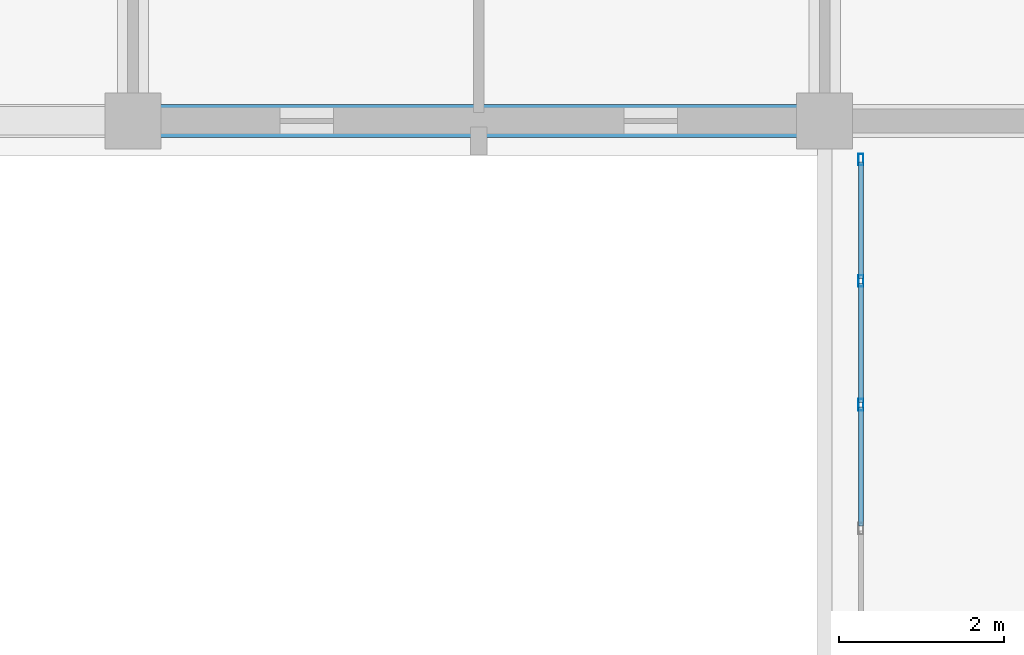
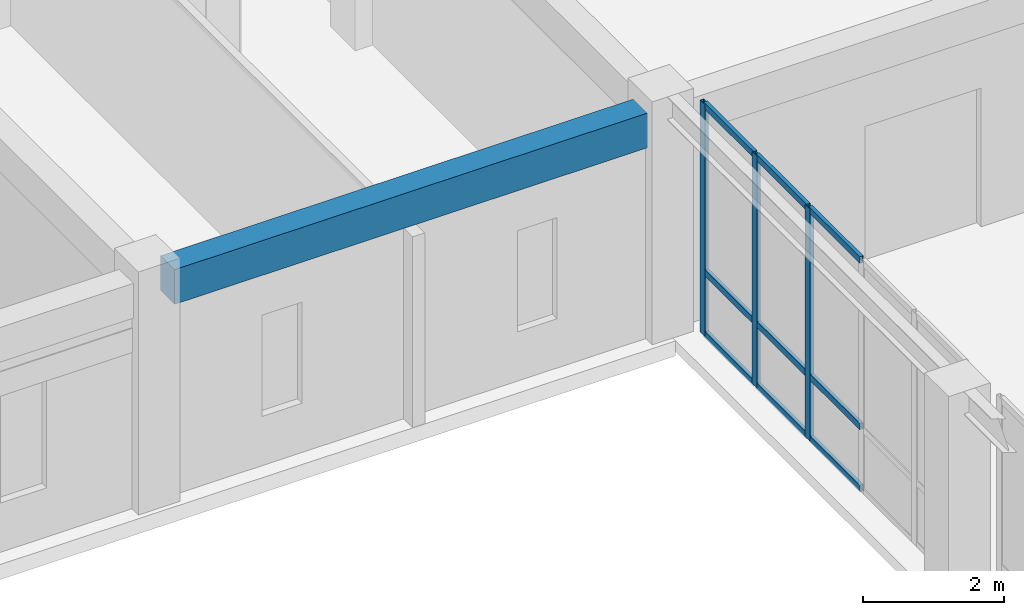
# One storey, part 65 of 140: 12 members, 1 beam, 1 element without a shape of its own.
"""IFC4 building model written with IfcOpenShell, lengths in metres."""

from ifc_helpers import new_model, si_unit, direction, frame, origin, origin_2d, place, context, subcontext, project, spatial, rectangle, hollow_rectangle, extrude, material, layer, layer_set, material_profile, profile_set, type_object, element, aggregate, save


model = new_model("IFC4")

# Units and contexts
model_context = context("Model", 3, precision=1e-05, world=origin(), true_north=direction((0.0, 1.0)))
body_context = subcontext(model_context, "Body", "Model", "MODEL_VIEW")
ifc_project = project(units=[si_unit("LENGTHUNIT", "METRE"), si_unit("AREAUNIT", "SQUARE_METRE"), si_unit("VOLUMEUNIT", "CUBIC_METRE"), si_unit("PLANEANGLEUNIT", "RADIAN"), si_unit("MASSUNIT", "GRAM", prefix="KILO")], contexts=[model_context])

# Site, building, storey
site_placement = place(None, origin())
site = spatial("IfcSite", under=ifc_project, at=site_placement, CompositionType="ELEMENT")
building_placement = place(site_placement, origin())
building = spatial("IfcBuilding", under=site, at=building_placement, Name="Trelvath General Hospital", CompositionType="ELEMENT")
storey_placement = place(building_placement, frame((0.0, 0.0, 16.199951171875)))
storey = spatial("IfcBuildingStorey", under=building, at=storey_placement, Name="L04", CompositionType="ELEMENT", Elevation=16.199951171875)

# Beam
ifc_material_1 = material(Name="Concrete C35/45", Category="concrete")
ifc_material_profile_1 = material_profile(ifc_material_1, rectangle(XDim=0.39990234375, YDim=0.60009765625, at=origin_2d()), Name="RCB400x600")
ifc_profile_set_1 = profile_set([ifc_material_profile_1], Name="Concrete C35/45")
beam_type = type_object("IfcBeamType", Name="Beam RC400x600", PredefinedType="BEAM", material=ifc_profile_set_1)
beam_placement = place(storey_placement, frame((67.534912109375, 92.39990234375, 3.6201171875), z_axis=(1.0, 0.0, 0.0), x_axis=(0.0, 1.0, 0.0)))
element("IfcBeam", 1, at=beam_placement, inside=storey, type_object=beam_type, Name="Grid Beam BX-408L", PredefinedType="BEAM", context=body_context, shape_type="SweptSolid", body=[
    extrude(rectangle(XDim=0.39990234375, YDim=0.60009765625, at=origin_2d()), origin(), (0.0, 0.0, 1.0), 7.72998046875),
])

# Curtain wall, members
ifc_material_2 = material(Name="Anodised aluminium and low-E glass", Category="aluminium")
ifc_layer = layer(ifc_material_2, 0.139892578125)
ifc_layer_set = layer_set([ifc_layer], Name="Anodised aluminium and low-E glass")
curtain_wall_type = type_object("IfcCurtainWallType", Name="CW Bridge 752 401", PredefinedType="USERDEFINED", material=ifc_layer_set)
curtain_wall_placement = place(storey_placement, origin())
curtain_wall = element("IfcCurtainWall", 2, at=curtain_wall_placement, inside=storey, type_object=curtain_wall_type, Name="Glazed Bridge Curtain Wall BRG-N-C W L04", ObjectType="Unitised Glazed Curtain Wall", PredefinedType="USERDEFINED")
ifc_material_3 = material(Name="Anodised aluminium", Category="aluminium")
ifc_material_profile_2 = material_profile(ifc_material_3, hollow_rectangle(XDim=0.06005859375, YDim=0.139892578125, WallThickness=0.00390625, at=origin_2d()), Name="RHS60x140x4")
ifc_profile_set_2 = profile_set([ifc_material_profile_2], Name="Anodised aluminium")
member_type_1 = type_object("IfcMemberType", Name="CurtainMullion 60x140", PredefinedType="MULLION", material=ifc_profile_set_2)
member_1_placement = place(storey_placement, frame((76.0400390625, 88.951904296875, 0.0), z_axis=(0.0, 0.0, 1.0), x_axis=(-1.0, 0.0, 0.0)))
member_1 = element("IfcMember", 3, at=member_1_placement, type_object=member_type_1, Name="CW-300 mullion 4", PredefinedType="MULLION", context=body_context, shape_type="SweptSolid", body=[
    extrude(hollow_rectangle(XDim=0.06005859375, YDim=0.139892578125, WallThickness=0.00390625, at=origin_2d()), origin(), (0.0, 0.0, 1.0), 4.010009765625),
])
member_2_placement = place(storey_placement, frame((76.0400390625, 90.4560546875, 0.0), z_axis=(0.0, 0.0, 1.0), x_axis=(-1.0, 0.0, 0.0)))
member_2 = element("IfcMember", 4, at=member_2_placement, type_object=member_type_1, Name="CW-300 mullion 5", PredefinedType="MULLION", context=body_context, shape_type="SweptSolid", body=[
    extrude(hollow_rectangle(XDim=0.06005859375, YDim=0.139892578125, WallThickness=0.00390625, at=origin_2d()), origin(), (0.0, 0.0, 1.0), 4.010009765625),
])
member_3_placement = place(storey_placement, frame((76.0400390625, 91.929931640625, 0.0), z_axis=(0.0, 0.0, 1.0), x_axis=(-1.0, 0.0, 0.0)))
member_3 = element("IfcMember", 5, at=member_3_placement, type_object=member_type_1, Name="CW-300 mullion 6", PredefinedType="MULLION", context=body_context, shape_type="SweptSolid", body=[
    extrude(hollow_rectangle(XDim=0.06005859375, YDim=0.139892578125, WallThickness=0.00390625, at=origin_2d()), origin(), (0.0, 0.0, 1.0), 4.010009765625),
])
ifc_material_4 = material(Name="Anodised aluminium", Category="aluminium")
ifc_material_profile_3 = material_profile(ifc_material_4, hollow_rectangle(XDim=0.06005859375, YDim=0.110107421875, WallThickness=0.00390625, at=origin_2d()), Name="RHS60x110x4")
ifc_profile_set_3 = profile_set([ifc_material_profile_3], Name="Anodised aluminium")
member_type_2 = type_object("IfcMemberType", Name="CurtainTransom 60x110", PredefinedType="USERDEFINED", material=ifc_profile_set_3)
member_4_placement = place(storey_placement, frame((76.0400390625, 87.47802734375, 0.030029296875), z_axis=(0.0, 1.0, 0.0), x_axis=(-1.0, 0.0, 0.0)))
member_4 = element("IfcMember", 6, at=member_4_placement, type_object=member_type_2, Name="CW-300 transom 3.1", ObjectType="TRANSOM", PredefinedType="USERDEFINED", context=body_context, shape_type="SweptSolid", body=[
    extrude(hollow_rectangle(XDim=0.06005859375, YDim=0.110107421875, WallThickness=0.00390625, at=origin_2d()), origin(), (0.0, 0.0, 1.0), 1.444091796875),
])
member_5_placement = place(storey_placement, frame((76.0400390625, 87.47802734375, 1.10009765625), z_axis=(0.0, 1.0, 0.0), x_axis=(-1.0, 0.0, 0.0)))
member_5 = element("IfcMember", 7, at=member_5_placement, type_object=member_type_2, Name="CW-300 transom 3.2", ObjectType="TRANSOM", PredefinedType="USERDEFINED", context=body_context, shape_type="SweptSolid", body=[
    extrude(hollow_rectangle(XDim=0.06005859375, YDim=0.110107421875, WallThickness=0.00390625, at=origin_2d()), origin(), (0.0, 0.0, 1.0), 1.444091796875),
])
member_6_placement = place(storey_placement, frame((76.0400390625, 87.47802734375, 3.97998046875), z_axis=(0.0, 1.0, 0.0), x_axis=(-1.0, 0.0, 0.0)))
member_6 = element("IfcMember", 8, at=member_6_placement, type_object=member_type_2, Name="CW-300 transom 3.3", ObjectType="TRANSOM", PredefinedType="USERDEFINED", context=body_context, shape_type="SweptSolid", body=[
    extrude(hollow_rectangle(XDim=0.06005859375, YDim=0.110107421875, WallThickness=0.00390625, at=origin_2d()), origin(), (0.0, 0.0, 1.0), 1.444091796875),
])
member_7_placement = place(storey_placement, frame((76.0400390625, 88.98193359375, 0.030029296875), z_axis=(0.0, 1.0, 0.0), x_axis=(-1.0, 0.0, 0.0)))
member_7 = element("IfcMember", 9, at=member_7_placement, type_object=member_type_2, Name="CW-300 transom 4.1", ObjectType="TRANSOM", PredefinedType="USERDEFINED", context=body_context, shape_type="SweptSolid", body=[
    extrude(hollow_rectangle(XDim=0.06005859375, YDim=0.110107421875, WallThickness=0.00390625, at=origin_2d()), origin(), (0.0, 0.0, 1.0), 1.444091796875),
])
member_8_placement = place(storey_placement, frame((76.0400390625, 88.98193359375, 1.10009765625), z_axis=(0.0, 1.0, 0.0), x_axis=(-1.0, 0.0, 0.0)))
member_8 = element("IfcMember", 10, at=member_8_placement, type_object=member_type_2, Name="CW-300 transom 4.2", ObjectType="TRANSOM", PredefinedType="USERDEFINED", context=body_context, shape_type="SweptSolid", body=[
    extrude(hollow_rectangle(XDim=0.06005859375, YDim=0.110107421875, WallThickness=0.00390625, at=origin_2d()), origin(), (0.0, 0.0, 1.0), 1.444091796875),
])
member_9_placement = place(storey_placement, frame((76.0400390625, 88.98193359375, 3.97998046875), z_axis=(0.0, 1.0, 0.0), x_axis=(-1.0, 0.0, 0.0)))
member_9 = element("IfcMember", 11, at=member_9_placement, type_object=member_type_2, Name="CW-300 transom 4.3", ObjectType="TRANSOM", PredefinedType="USERDEFINED", context=body_context, shape_type="SweptSolid", body=[
    extrude(hollow_rectangle(XDim=0.06005859375, YDim=0.110107421875, WallThickness=0.00390625, at=origin_2d()), origin(), (0.0, 0.0, 1.0), 1.444091796875),
])
member_10_placement = place(storey_placement, frame((76.0400390625, 90.486083984375, 0.030029296875), z_axis=(0.0, 1.0, 0.0), x_axis=(-1.0, 0.0, 0.0)))
member_10 = element("IfcMember", 12, at=member_10_placement, type_object=member_type_2, Name="CW-300 transom 5.1", ObjectType="TRANSOM", PredefinedType="USERDEFINED", context=body_context, shape_type="SweptSolid", body=[
    extrude(hollow_rectangle(XDim=0.06005859375, YDim=0.110107421875, WallThickness=0.00390625, at=origin_2d()), origin(), (0.0, 0.0, 1.0), 1.413818359375),
])
member_11_placement = place(storey_placement, frame((76.0400390625, 90.486083984375, 1.10009765625), z_axis=(0.0, 1.0, 0.0), x_axis=(-1.0, 0.0, 0.0)))
member_11 = element("IfcMember", 13, at=member_11_placement, type_object=member_type_2, Name="CW-300 transom 5.2", ObjectType="TRANSOM", PredefinedType="USERDEFINED", context=body_context, shape_type="SweptSolid", body=[
    extrude(hollow_rectangle(XDim=0.06005859375, YDim=0.110107421875, WallThickness=0.00390625, at=origin_2d()), origin(), (0.0, 0.0, 1.0), 1.413818359375),
])
member_12_placement = place(storey_placement, frame((76.0400390625, 90.486083984375, 3.97998046875), z_axis=(0.0, 1.0, 0.0), x_axis=(-1.0, 0.0, 0.0)))
member_12 = element("IfcMember", 14, at=member_12_placement, type_object=member_type_2, Name="CW-300 transom 5.3", ObjectType="TRANSOM", PredefinedType="USERDEFINED", context=body_context, shape_type="SweptSolid", body=[
    extrude(hollow_rectangle(XDim=0.06005859375, YDim=0.110107421875, WallThickness=0.00390625, at=origin_2d()), origin(), (0.0, 0.0, 1.0), 1.413818359375),
])
aggregate(curtain_wall, [member_1, member_2, member_3, member_4, member_5, member_6, member_7, member_8, member_9, member_10, member_11, member_12])

save(model, "model.ifc")
